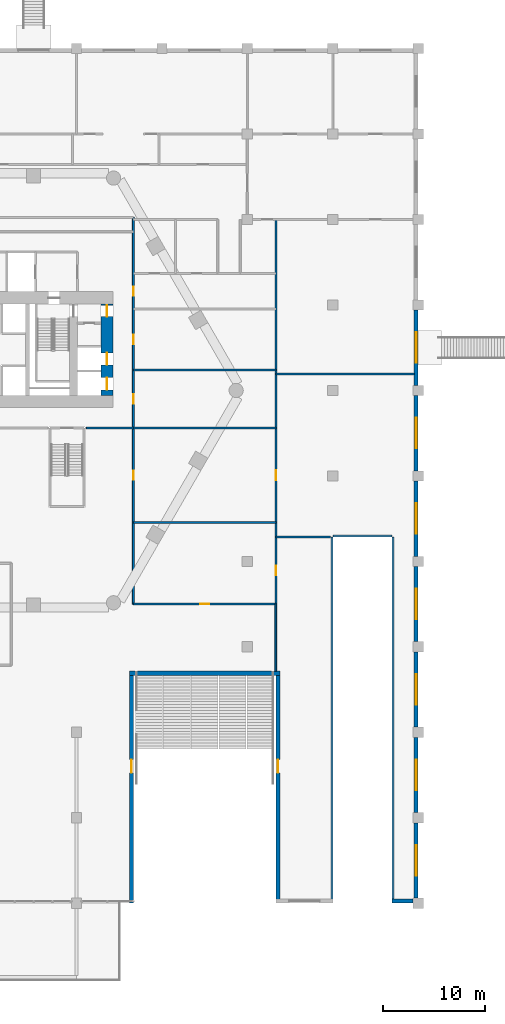
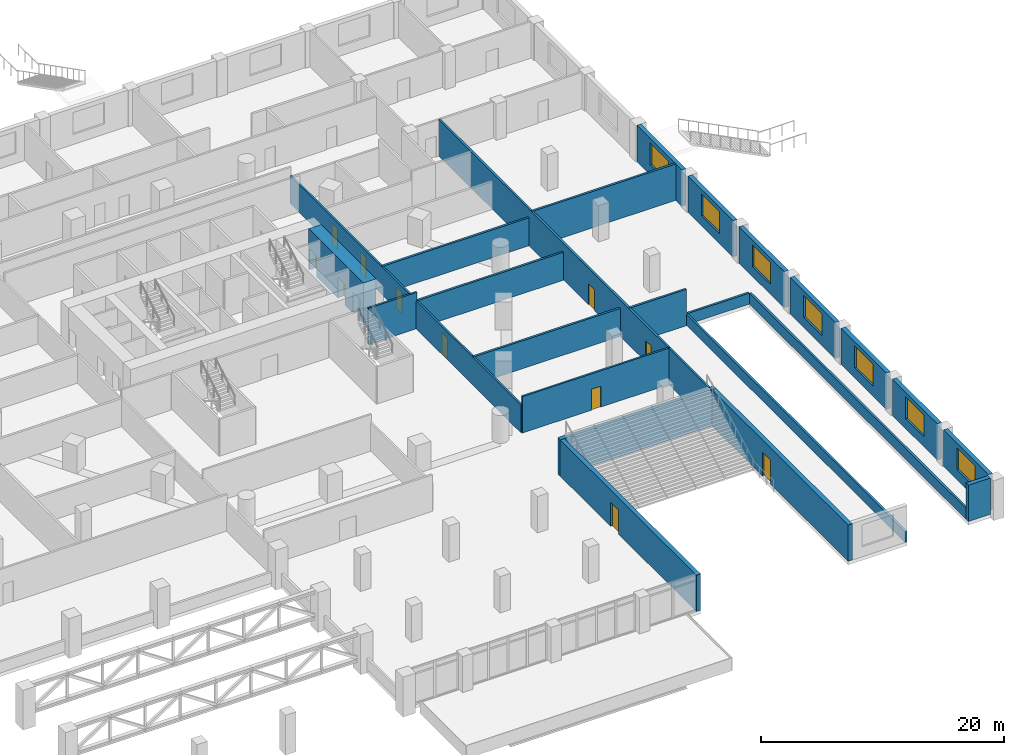
# One storey, part 14 of 24: 25 walls, 12 doors, 7 windows, 19 openings.
"""IFC4 building model written with IfcOpenShell, lengths in metres."""

import ifcopenshell
import ifcopenshell.guid

model = None  # the IFC model being written
_history = None  # IfcOwnerHistory: only IFC2X3 demands one
_inside = {}  # id of a spatial element -> (the spatial element, [elements in it])
_under = {}  # id of a project, library or spatial element -> (it, [spatial elements below it])
_declared = {}  # id of a project -> (the project, [libraries it declares])
_typed = {}  # id of a type object -> (the type object, [elements of that type])
_made_of = {}  # id of a material, layer set ... -> (it, [elements and type objects made of it])


def new_model(schema):
    """Start an empty IFC model of exactly this schema.

    Asked for "IFC4X3", IfcOpenShell would pick the latest addendum, in which some entities
    have other attributes; the version numbers below select the first issue.
    IFC2X3 requires an IfcOwnerHistory on every rooted entity: one is made here for all.
    """
    global model, _history
    if schema == "IFC4X3":
        model = ifcopenshell.file(schema_version=(4, 3, 0, 0))
    else:
        model = ifcopenshell.file(schema=schema)
    _inside.clear()
    _under.clear()
    _declared.clear()
    _typed.clear()
    _made_of.clear()
    _history = None
    if model.schema == "IFC2X3":
        org = make("IfcOrganization", Name="unknown")
        user = make(
            "IfcPersonAndOrganization",
            ThePerson=make("IfcPerson", FamilyName="unknown"),
            TheOrganization=org,
        )
        app = make(
            "IfcApplication",
            ApplicationDeveloper=org,
            Version="unknown",
            ApplicationFullName="unknown",
            ApplicationIdentifier="unknown",
        )
        _history = make(
            "IfcOwnerHistory",
            OwningUser=user,
            OwningApplication=app,
            ChangeAction="ADDED",
            CreationDate=0,
        )
    return model


def make(cls, **values):
    """One entity of the class cls with the attributes given. An attribute that is None is left unset."""
    return model.create_entity(
        cls, **{name: value for name, value in values.items() if value is not None}
    )


def rooted(cls, **values):
    """An entity with a GlobalId (a new one), such as an element, a storey or a relation."""
    return make(cls, GlobalId=ifcopenshell.guid.new(), OwnerHistory=_history, **values)


def si_unit(unit_type, name, prefix=None):
    """IfcSIUnit, for example si_unit("LENGTHUNIT", "METRE", prefix="MILLI")."""
    return make("IfcSIUnit", UnitType=unit_type, Prefix=prefix, Name=name)


def assignment(units):
    """IfcUnitAssignment: the units of a project."""
    return None if units is None else make("IfcUnitAssignment", Units=units)


def point(xyz):
    """IfcCartesianPoint."""
    return None if xyz is None else make("IfcCartesianPoint", Coordinates=xyz)


def direction(xyz):
    """IfcDirection."""
    return None if xyz is None else make("IfcDirection", DirectionRatios=xyz)


def frame(location, z_axis=None, x_axis=None):
    """IfcAxis2Placement3D, a coordinate frame: its origin and axes. An axis left out is left unset."""
    return make(
        "IfcAxis2Placement3D",
        Location=point(location),
        Axis=direction(z_axis),
        RefDirection=direction(x_axis),
    )


def frame_2d(location, x_axis=None):
    """IfcAxis2Placement2D, a coordinate frame in the plane: its origin and x axis."""
    return make(
        "IfcAxis2Placement2D", Location=point(location), RefDirection=direction(x_axis)
    )


def origin():
    """The frame at (0, 0, 0) with its axes left unset."""
    return frame((0.0, 0.0, 0.0))


def place(relative_to, where):
    """IfcLocalPlacement: puts the frame where relative to a parent placement (None: the world)."""
    return make(
        "IfcLocalPlacement", PlacementRelTo=relative_to, RelativePlacement=where
    )


def context(
    kind, dimensions, precision=None, world=None, true_north=None, identifier=None
):
    """IfcGeometricRepresentationContext, for example the 3D "Model" context."""
    return make(
        "IfcGeometricRepresentationContext",
        ContextIdentifier=identifier,
        ContextType=kind,
        CoordinateSpaceDimension=dimensions,
        Precision=precision,
        WorldCoordinateSystem=world,
        TrueNorth=true_north,
    )


def subcontext(parent, identifier, kind, view, scale=None):
    """IfcGeometricRepresentationSubContext, for example "Body" below "Model"."""
    return make(
        "IfcGeometricRepresentationSubContext",
        ContextIdentifier=identifier,
        ContextType=kind,
        ParentContext=parent,
        TargetScale=scale,
        TargetView=view,
    )


def project(units=None, contexts=None):
    """IfcProject with its units and contexts."""
    return rooted(
        "IfcProject",
        Name="project",
        RepresentationContexts=contexts,
        UnitsInContext=assignment(units),
    )


def spatial(cls, under=None, at=None, **own):
    """A site, building, storey or space (cls), placed at a placement, below another one or the project."""
    s = rooted(cls, ObjectPlacement=at, **own)
    if under is not None:
        _under.setdefault(under.id(), (under, []))[1].append(s)
    return s


def profile(cls, at=None, kind="AREA", **sizes):
    """A parametric profile (cls). Its sizes go by their IFC names, for example OverallWidth=200.0."""
    return make(cls, ProfileType=kind, Position=at, **sizes)


def rectangle(**sizes):
    """IfcRectangleProfileDef."""
    return profile("IfcRectangleProfileDef", **sizes)


def extrude(swept, where, along, depth):
    """IfcExtrudedAreaSolid: the profile swept, set in the frame where, extruded along a direction by depth."""
    return make(
        "IfcExtrudedAreaSolid",
        SweptArea=swept,
        Position=where,
        ExtrudedDirection=direction(along),
        Depth=depth,
    )


def shape(context_of_items, identifier, shape_type, items):
    """IfcShapeRepresentation: the items that make up one representation, for example the "Body"."""
    return make(
        "IfcShapeRepresentation",
        ContextOfItems=context_of_items,
        RepresentationIdentifier=identifier,
        RepresentationType=shape_type,
        Items=items,
    )


def material(Name=None, Category=None):
    """IfcMaterial."""
    return make("IfcMaterial", Name=Name, Category=Category)


def layer(
    of_material, thickness, ventilated=None, Name=None, Category=None, Priority=None
):
    """IfcMaterialLayer: one layer of a wall or slab, of a material (None: an air gap)."""
    return make(
        "IfcMaterialLayer",
        Material=of_material,
        LayerThickness=thickness,
        IsVentilated=ventilated,
        Name=Name,
        Category=Category,
        Priority=Priority,
    )


def layer_set(layers, Name=None):
    """IfcMaterialLayerSet."""
    return make("IfcMaterialLayerSet", MaterialLayers=layers, LayerSetName=Name)


def made_of(thing, what):
    """Note that an element or type object is made of a material, layer set ...; save() writes the relation."""
    if what is not None:
        _made_of.setdefault(what.id(), (what, []))[1].append(thing)
    return thing


def type_object(cls, material=None, **own):
    """A type object (cls), such as IfcWallType, which elements share."""
    return made_of(rooted(cls, **own), material)


def element(
    cls,
    number,
    at=None,
    inside=None,
    cuts=None,
    type_object=None,
    material=None,
    context=None,
    identifier="Body",
    shape_type=None,
    held_by="IfcProductDefinitionShape",
    body=None,
    shapes=None,
    **own,
):
    """One element of the class cls, such as IfcWall. Its Tag is "e" and its number.

    at: its placement. inside: the storey or other place that contains it. cuts: it is an
    opening in that element (IfcRelVoidsElement). A single representation is given by context,
    identifier, shape_type and body (its items); several are given by shapes. held_by: the class
    of the entity that holds the representations. save() writes the other relations.
    """
    e = rooted(cls, Tag="e%d" % number, ObjectPlacement=at, **own)
    if body is not None:
        shapes = [shape(context, identifier, shape_type, body)]
    if shapes is not None:
        e.Representation = make(held_by, Representations=shapes)
    if inside is not None:
        _inside.setdefault(inside.id(), (inside, []))[1].append(e)
    if cuts is not None:
        rooted(
            "IfcRelVoidsElement", RelatingBuildingElement=cuts, RelatedOpeningElement=e
        )
    if type_object is not None:
        _typed.setdefault(type_object.id(), (type_object, []))[1].append(e)
    return made_of(e, material)


def fill(opening, filler):
    """IfcRelFillsElement: the door or window that sits in an opening."""
    return rooted(
        "IfcRelFillsElement",
        RelatingOpeningElement=opening,
        RelatedBuildingElement=filler,
    )


def aggregate(whole, parts):
    """IfcRelAggregates: a whole, such as a stair, and the parts it consists of."""
    return rooted("IfcRelAggregates", RelatingObject=whole, RelatedObjects=parts)


def save(model, path):
    """Write the relations noted so far, then the file.

    IfcRelAggregates (storeys below a building ...), IfcRelContainedInSpatialStructure (elements
    in a storey), IfcRelDefinesByType, IfcRelAssociatesMaterial and IfcRelDeclares: one each for
    every whole, place, type object, material and project.
    """
    for whole, parts in _under.values():
        aggregate(whole, parts)
    for where, things in _inside.values():
        rooted(
            "IfcRelContainedInSpatialStructure",
            RelatedElements=things,
            RelatingStructure=where,
        )
    for kind, things in _typed.values():
        rooted("IfcRelDefinesByType", RelatedObjects=things, RelatingType=kind)
    for what, things in _made_of.values():
        rooted("IfcRelAssociatesMaterial", RelatedObjects=things, RelatingMaterial=what)
    for by, libraries in _declared.values():
        rooted("IfcRelDeclares", RelatingContext=by, RelatedDefinitions=libraries)
    model.write(path)


model = new_model("IFC4")

# Units and contexts
model_context = context("Model", 3, precision=1e-05, world=origin(), true_north=direction((0.0, 1.0)))
body_context = subcontext(model_context, "Body", "Model", "MODEL_VIEW")
ifc_project = project(units=[si_unit("LENGTHUNIT", "METRE"), si_unit("AREAUNIT", "SQUARE_METRE"), si_unit("VOLUMEUNIT", "CUBIC_METRE"), si_unit("PLANEANGLEUNIT", "RADIAN"), si_unit("MASSUNIT", "GRAM", prefix="KILO")], contexts=[model_context])

# Site, building, storey
site_placement = place(None, origin())
site = spatial("IfcSite", under=ifc_project, at=site_placement, CompositionType="ELEMENT")
building_placement = place(site_placement, origin())
building = spatial("IfcBuilding", under=site, at=building_placement, Name="Ostrander Bayou Hotel Tower", CompositionType="ELEMENT")
storey_placement = place(building_placement, frame((0.0, 0.0, 6.0)))
storey = spatial("IfcBuildingStorey", under=building, at=storey_placement, Name="L01", CompositionType="ELEMENT", Elevation=6.0)

# Wall, openings, doors
ifc_material_1 = material(Name="Concrete f'c 70 MPa", Category="concrete")
ifc_layer_1 = layer(ifc_material_1, 1.199951171875)
ifc_layer_set_1 = layer_set([ifc_layer_1], Name="CW1 core wall 1200 mm f'c 70 MPa")
wall_type_1 = type_object("IfcWallType", Name="CW1 core wall 1200 mm f'c 70 MPa", PredefinedType="SHEAR", material=ifc_layer_set_1)
wall_1_placement = place(storey_placement, frame((11.39990234375, -0.5, -0.35009765625), z_axis=(0.0, 0.0, 1.0), x_axis=(0.0, 1.0, 0.0)))
wall_1 = element("IfcWall", 1, at=wall_1_placement, inside=storey, type_object=wall_type_1, Name="CW1 L01 RE", PredefinedType="SHEAR", context=body_context, shape_type="SweptSolid", body=[
    extrude(rectangle(XDim=9.0, YDim=1.199951171875, at=frame_2d((4.5, 0.0))), origin(), (0.0, 0.0, 1.0), 4.050048828125),
])
opening_1_placement = place(wall_1_placement, frame((7.75, 0.0, 0.0)))
opening_1 = element("IfcOpeningElement", 2, at=opening_1_placement, cuts=wall_1, Name="Opening T01-019", PredefinedType="OPENING", context=body_context, shape_type="SweptSolid", body=[
    extrude(rectangle(XDim=1.10009765625, YDim=2.10009765625, at=frame_2d((0.550048828125, 1.050048828125))), frame((0.0, 0.60009765625, 0.0), z_axis=(0.0, -1.0, 0.0), x_axis=(1.0, 0.0, 0.0)), (0.0, 0.0, 1.0), 1.199951171875),
])
opening_2_placement = place(wall_1_placement, frame((0.550048828125, 0.0, 0.0)))
opening_2 = element("IfcOpeningElement", 3, at=opening_2_placement, cuts=wall_1, Name="Opening T01-020", PredefinedType="OPENING", context=body_context, shape_type="SweptSolid", body=[
    extrude(rectangle(XDim=1.199951171875, YDim=2.10009765625, at=frame_2d((0.60009765625, 1.050048828125))), frame((0.0, 0.60009765625, 0.0), z_axis=(0.0, -1.0, 0.0), x_axis=(1.0, 0.0, 0.0)), (0.0, 0.0, 1.0), 1.199951171875),
])
opening_3_placement = place(wall_1_placement, frame((3.0, 0.0, 0.0)))
opening_3 = element("IfcOpeningElement", 4, at=opening_3_placement, cuts=wall_1, Name="Opening T01-021", PredefinedType="OPENING", context=body_context, shape_type="SweptSolid", body=[
    extrude(rectangle(XDim=1.199951171875, YDim=2.10009765625, at=frame_2d((0.60009765625, 1.050048828125))), frame((0.0, 0.60009765625, 0.0), z_axis=(0.0, -1.0, 0.0), x_axis=(1.0, 0.0, 0.0)), (0.0, 0.0, 1.0), 1.199951171875),
])
ifc_material_2 = material(Name="Timber door leaf", Category="wood")
door_type_1 = type_object("IfcDoorType", Name="D5 stair door 1100 x 2100 mm, 90 minute", OperationType="SINGLE_SWING_LEFT", PredefinedType="DOOR", material=ifc_material_2)
door_1_placement = place(opening_1_placement, origin())
door_1 = element("IfcDoor", 5, at=door_1_placement, inside=storey, type_object=door_type_1, Name="dr:L01:019", OperationType="SINGLE_SWING_RIGHT", OverallHeight=2.10009765625, OverallWidth=1.10009765625, PredefinedType="DOOR", context=body_context, shape_type="SweptSolid", body=[
    extrude(rectangle(XDim=1.10009765625, YDim=2.10009765625, at=frame_2d((0.550048828125, 1.050048828125))), frame((0.0, 0.02490234375, 0.0), z_axis=(0.0, -1.0, 0.0), x_axis=(1.0, 0.0, 0.0)), (0.0, 0.0, 1.0), 0.050048828125),
])
fill(opening_1, door_1)
ifc_material_3 = material(Name="Stainless steel sliding door", Category="steel")
door_type_2 = type_object("IfcDoorType", Name="LD1 lift landing door 1200 x 2100 mm", OperationType="SINGLE_SWING_LEFT", PredefinedType="DOOR", material=ifc_material_3)
door_2_placement = place(opening_2_placement, origin())
door_2 = element("IfcDoor", 6, at=door_2_placement, inside=storey, type_object=door_type_2, Name="dr:L01:020", OperationType="SLIDING_TO_LEFT", OverallHeight=2.10009765625, OverallWidth=1.199951171875, PredefinedType="DOOR", context=body_context, shape_type="SweptSolid", body=[
    extrude(rectangle(XDim=1.199951171875, YDim=2.10009765625, at=frame_2d((0.60009765625, 1.050048828125))), frame((0.0, 0.02490234375, 0.0), z_axis=(0.0, -1.0, 0.0), x_axis=(1.0, 0.0, 0.0)), (0.0, 0.0, 1.0), 0.050048828125),
])
fill(opening_2, door_2)
door_3_placement = place(opening_3_placement, origin())
door_3 = element("IfcDoor", 7, at=door_3_placement, inside=storey, type_object=door_type_2, Name="dr:L01:021", OperationType="SLIDING_TO_LEFT", OverallHeight=2.10009765625, OverallWidth=1.199951171875, PredefinedType="DOOR", context=body_context, shape_type="SweptSolid", body=[
    extrude(rectangle(XDim=1.199951171875, YDim=2.10009765625, at=frame_2d((0.60009765625, 1.050048828125))), frame((0.0, 0.02490234375, 0.0), z_axis=(0.0, -1.0, 0.0), x_axis=(1.0, 0.0, 0.0)), (0.0, 0.0, 1.0), 0.050048828125),
])
fill(opening_3, door_3)

# Walls
ifc_material_4 = material(Name="Gypsum board partition", Category="finish")
ifc_layer_2 = layer(ifc_material_4, 0.199951171875)
ifc_layer_set_2 = layer_set([ifc_layer_2], Name="PT3 demising wall 200 mm acoustic double stud, 1 hour")
wall_type_2 = type_object("IfcWallType", Name="PT3 demising wall 200 mm acoustic double stud, 1 hour", PredefinedType="PARTITIONING", material=ifc_layer_set_2)
wall_2_placement = place(storey_placement, frame((28.0, -14.39990234375, 0.0), z_axis=(0.0, 0.0, 1.0), x_axis=(1.0, 0.0, 0.0)))
element("IfcWall", 8, at=wall_2_placement, inside=storey, type_object=wall_type_2, Name="sw:L01:025", PredefinedType="PARTITIONING", context=body_context, shape_type="SweptSolid", body=[
    extrude(rectangle(XDim=5.39501953125, YDim=0.199951171875, at=frame_2d((2.697509765625, 0.0))), origin(), (0.0, 0.0, 1.0), 3.64990234375),
])
for number, where, z_axis, x_axis, name in (
    (9, (14.0, -13.0, 0.0), (0.0, 0.0, 1.0), (1.0, 0.0, 0.0), "sw:L01:026"),
    (10, (14.0, -3.699951171875, 0.0), (0.0, 0.0, 1.0), (1.0, 0.0, 0.0), "sw:L01:032"),
):
    element("IfcWall", number, at=place(storey_placement, frame(where, z_axis=z_axis, x_axis=x_axis)), inside=storey, type_object=wall_type_2, Name=name, PredefinedType="PARTITIONING", context=body_context, shape_type="SweptSolid", body=[
        extrude(rectangle(XDim=14.0, YDim=0.199951171875, at=frame_2d((7.0, 0.0))), origin(), (0.0, 0.0, 1.0), 2.800048828125),
    ])
wall_3_placement = place(storey_placement, frame((28.0, 1.60009765625, 0.0), z_axis=(0.0, 0.0, 1.0), x_axis=(1.0, 0.0, 0.0)))
element("IfcWall", 11, at=wall_3_placement, inside=storey, type_object=wall_type_2, Name="sw:L01:034", PredefinedType="PARTITIONING", context=body_context, shape_type="SweptSolid", body=[
    extrude(rectangle(XDim=13.6201171875, YDim=0.199951171875, at=frame_2d((6.81005859375, 0.0))), origin(), (0.0, 0.0, 1.0), 3.64990234375),
])
wall_4_placement = place(storey_placement, frame((14.0, 2.0, 0.0), z_axis=(0.0, 0.0, 1.0), x_axis=(1.0, 0.0, 0.0)))
element("IfcWall", 12, at=wall_4_placement, inside=storey, type_object=wall_type_2, Name="sw:L01:035", PredefinedType="PARTITIONING", context=body_context, shape_type="SweptSolid", body=[
    extrude(rectangle(XDim=14.0, YDim=0.199951171875, at=frame_2d((7.0, 0.0))), origin(), (0.0, 0.0, 1.0), 2.800048828125),
])

# Wall, openings, doors
wall_5_placement = place(storey_placement, frame((28.0, -21.0, 0.0), z_axis=(0.0, 0.0, 1.0), x_axis=(0.0, 1.0, 0.0)))
wall_5 = element("IfcWall", 13, at=wall_5_placement, inside=storey, type_object=wall_type_2, Name="sw:L01:055", PredefinedType="PARTITIONING", context=body_context, shape_type="SweptSolid", body=[
    extrude(rectangle(XDim=37.800048828125, YDim=0.199951171875, at=frame_2d((18.89990234375, 0.0))), origin(), (0.0, 0.0, 1.0), 3.64990234375),
])
opening_4_placement = place(wall_5_placement, frame((2.85009765625, 0.0, 0.0)))
opening_4 = element("IfcOpeningElement", 14, at=opening_4_placement, cuts=wall_5, Name="Opening T01-232", PredefinedType="OPENING", context=body_context, shape_type="SweptSolid", body=[
    extrude(rectangle(XDim=0.89990234375, YDim=2.10009765625, at=frame_2d((0.449951171875, 1.050048828125))), frame((0.0, 0.10009765625, 0.0), z_axis=(0.0, -1.0, 0.0), x_axis=(1.0, 0.0, 0.0)), (0.0, 0.0, 1.0), 0.199951171875),
])
opening_5_placement = place(wall_5_placement, frame((12.14990234375, 0.0, 0.0)))
opening_5 = element("IfcOpeningElement", 15, at=opening_5_placement, cuts=wall_5, Name="Opening T01-235", PredefinedType="OPENING", context=body_context, shape_type="SweptSolid", body=[
    extrude(rectangle(XDim=1.0, YDim=2.10009765625, at=frame_2d((0.5, 1.050048828125))), frame((0.0, 0.10009765625, 0.0), z_axis=(0.0, -1.0, 0.0), x_axis=(1.0, 0.0, 0.0)), (0.0, 0.0, 1.0), 0.199951171875),
])
ifc_material_5 = material(Name="Timber door leaf", Category="wood")
door_type_3 = type_object("IfcDoorType", Name="D8 room door 900 x 2100 mm", OperationType="SINGLE_SWING_LEFT", PredefinedType="DOOR", material=ifc_material_5)
door_4_placement = place(opening_4_placement, origin())
door_4 = element("IfcDoor", 16, at=door_4_placement, inside=storey, type_object=door_type_3, Name="dr:L01:232", OperationType="SINGLE_SWING_RIGHT", OverallHeight=2.10009765625, OverallWidth=0.89990234375, PredefinedType="DOOR", context=body_context, shape_type="SweptSolid", body=[
    extrude(rectangle(XDim=0.89990234375, YDim=2.10009765625, at=frame_2d((0.449951171875, 1.050048828125))), frame((0.0, 0.02490234375, 0.0), z_axis=(0.0, -1.0, 0.0), x_axis=(1.0, 0.0, 0.0)), (0.0, 0.0, 1.0), 0.050048828125),
])
fill(opening_4, door_4)
ifc_material_6 = material(Name="Timber door leaf", Category="wood")
door_type_4 = type_object("IfcDoorType", Name="D9 service door 1000 x 2100 mm, 30 minute", OperationType="SINGLE_SWING_LEFT", PredefinedType="DOOR", material=ifc_material_6)
door_5_placement = place(opening_5_placement, origin())
door_5 = element("IfcDoor", 17, at=door_5_placement, inside=storey, type_object=door_type_4, Name="dr:L01:235", OperationType="SINGLE_SWING_LEFT", OverallHeight=2.10009765625, OverallWidth=1.0, PredefinedType="DOOR", context=body_context, shape_type="SweptSolid", body=[
    extrude(rectangle(XDim=1.0, YDim=2.10009765625, at=frame_2d((0.5, 1.050048828125))), frame((0.0, 0.02490234375, 0.0), z_axis=(0.0, -1.0, 0.0), x_axis=(1.0, 0.0, 0.0)), (0.0, 0.0, 1.0), 0.050048828125),
])
fill(opening_5, door_5)

# Wall, opening, door
ifc_material_7 = material(Name="Gypsum board partition", Category="finish")
ifc_layer_3 = layer(ifc_material_7, 0.175048828125)
ifc_layer_set_3 = layer_set([ifc_layer_3], Name="PT4 corridor wall 175 mm, 1 hour")
wall_type_3 = type_object("IfcWallType", Name="PT4 corridor wall 175 mm, 1 hour", PredefinedType="PARTITIONING", material=ifc_layer_set_3)
wall_6_placement = place(storey_placement, frame((14.0, -21.0, 0.0), z_axis=(0.0, 0.0, 1.0), x_axis=(1.0, 0.0, 0.0)))
wall_6 = element("IfcWall", 18, at=wall_6_placement, inside=storey, type_object=wall_type_3, Name="sw:L01:003", PredefinedType="PARTITIONING", context=body_context, shape_type="SweptSolid", body=[
    extrude(rectangle(XDim=14.0, YDim=0.175048828125, at=frame_2d((7.0, 0.0))), origin(), (0.0, 0.0, 1.0), 3.64990234375),
])
opening_6_placement = place(wall_6_placement, frame((6.550048828125, 0.0, 0.0)))
opening_6 = element("IfcOpeningElement", 19, at=opening_6_placement, cuts=wall_6, Name="Opening T01-215", PredefinedType="OPENING", context=body_context, shape_type="SweptSolid", body=[
    extrude(rectangle(XDim=0.89990234375, YDim=2.10009765625, at=frame_2d((0.449951171875, 1.050048828125))), frame((0.0, 0.08740234375, 0.0), z_axis=(0.0, -1.0, 0.0), x_axis=(1.0, 0.0, 0.0)), (0.0, 0.0, 1.0), 0.175048828125),
])
door_6_placement = place(opening_6_placement, origin())
door_6 = element("IfcDoor", 20, at=door_6_placement, inside=storey, type_object=door_type_3, Name="dr:L01:215", OperationType="SINGLE_SWING_LEFT", OverallHeight=2.10009765625, OverallWidth=0.89990234375, PredefinedType="DOOR", context=body_context, shape_type="SweptSolid", body=[
    extrude(rectangle(XDim=0.89990234375, YDim=2.10009765625, at=frame_2d((0.449951171875, 1.050048828125))), frame((0.0, 0.02490234375, 0.0), z_axis=(0.0, -1.0, 0.0), x_axis=(1.0, 0.0, 0.0)), (0.0, 0.0, 1.0), 0.050048828125),
])
fill(opening_6, door_6)

# Wall
wall_7_placement = place(storey_placement, frame((9.3798828125, -3.699951171875, 0.0), z_axis=(0.0, 0.0, 1.0), x_axis=(1.0, 0.0, 0.0)))
element("IfcWall", 21, at=wall_7_placement, inside=storey, type_object=wall_type_3, Name="sw:L01:007", PredefinedType="PARTITIONING", context=body_context, shape_type="SweptSolid", body=[
    extrude(rectangle(XDim=4.6201171875, YDim=0.175048828125, at=frame_2d((2.31005859375, 0.0))), origin(), (0.0, 0.0, 1.0), 3.64990234375),
])

# Wall, openings, doors
wall_8_placement = place(storey_placement, frame((14.0, -21.0, 0.0), z_axis=(0.0, 0.0, 1.0), x_axis=(0.0, 1.0, 0.0)))
wall_8 = element("IfcWall", 22, at=wall_8_placement, inside=storey, type_object=wall_type_3, Name="sw:L01:020", PredefinedType="PARTITIONING", context=body_context, shape_type="SweptSolid", body=[
    extrude(rectangle(XDim=38.0, YDim=0.175048828125, at=frame_2d((19.0, 0.0))), origin(), (0.0, 0.0, 1.0), 2.800048828125),
])
opening_7_placement = place(wall_8_placement, frame((12.199951171875, 0.0, 0.0)))
opening_7 = element("IfcOpeningElement", 23, at=opening_7_placement, cuts=wall_8, Name="Opening T01-216", PredefinedType="OPENING", context=body_context, shape_type="SweptSolid", body=[
    extrude(rectangle(XDim=0.89990234375, YDim=2.10009765625, at=frame_2d((0.449951171875, 1.050048828125))), frame((0.0, 0.08740234375, 0.0), z_axis=(0.0, -1.0, 0.0), x_axis=(1.0, 0.0, 0.0)), (0.0, 0.0, 1.0), 0.175048828125),
])
opening_8_placement = place(wall_8_placement, frame((19.699951171875, 0.0, 0.0)))
opening_8 = element("IfcOpeningElement", 24, at=opening_8_placement, cuts=wall_8, Name="Opening T01-217", PredefinedType="OPENING", context=body_context, shape_type="SweptSolid", body=[
    extrude(rectangle(XDim=0.89990234375, YDim=2.10009765625, at=frame_2d((0.449951171875, 1.050048828125))), frame((0.0, 0.08740234375, 0.0), z_axis=(0.0, -1.0, 0.0), x_axis=(1.0, 0.0, 0.0)), (0.0, 0.0, 1.0), 0.175048828125),
])
opening_9_placement = place(wall_8_placement, frame((25.550048828125, 0.0, 0.0)))
opening_9 = element("IfcOpeningElement", 25, at=opening_9_placement, cuts=wall_8, Name="Opening T01-218", PredefinedType="OPENING", context=body_context, shape_type="SweptSolid", body=[
    extrude(rectangle(XDim=0.89990234375, YDim=2.10009765625, at=frame_2d((0.449951171875, 1.050048828125))), frame((0.0, 0.08740234375, 0.0), z_axis=(0.0, -1.0, 0.0), x_axis=(1.0, 0.0, 0.0)), (0.0, 0.0, 1.0), 0.175048828125),
])
opening_10_placement = place(wall_8_placement, frame((30.300048828125, 0.0, 0.0)))
opening_10 = element("IfcOpeningElement", 26, at=opening_10_placement, cuts=wall_8, Name="Opening T01-219", PredefinedType="OPENING", context=body_context, shape_type="SweptSolid", body=[
    extrude(rectangle(XDim=0.89990234375, YDim=2.10009765625, at=frame_2d((0.449951171875, 1.050048828125))), frame((0.0, 0.08740234375, 0.0), z_axis=(0.0, -1.0, 0.0), x_axis=(1.0, 0.0, 0.0)), (0.0, 0.0, 1.0), 0.175048828125),
])
door_7_placement = place(opening_7_placement, origin())
door_7 = element("IfcDoor", 27, at=door_7_placement, inside=storey, type_object=door_type_3, Name="dr:L01:216", OperationType="SINGLE_SWING_RIGHT", OverallHeight=2.10009765625, OverallWidth=0.89990234375, PredefinedType="DOOR", context=body_context, shape_type="SweptSolid", body=[
    extrude(rectangle(XDim=0.89990234375, YDim=2.10009765625, at=frame_2d((0.449951171875, 1.050048828125))), frame((0.0, 0.02490234375, 0.0), z_axis=(0.0, -1.0, 0.0), x_axis=(1.0, 0.0, 0.0)), (0.0, 0.0, 1.0), 0.050048828125),
])
fill(opening_7, door_7)
door_8_placement = place(opening_8_placement, origin())
door_8 = element("IfcDoor", 28, at=door_8_placement, inside=storey, type_object=door_type_3, Name="dr:L01:217", OperationType="SINGLE_SWING_LEFT", OverallHeight=2.10009765625, OverallWidth=0.89990234375, PredefinedType="DOOR", context=body_context, shape_type="SweptSolid", body=[
    extrude(rectangle(XDim=0.89990234375, YDim=2.10009765625, at=frame_2d((0.449951171875, 1.050048828125))), frame((0.0, 0.02490234375, 0.0), z_axis=(0.0, -1.0, 0.0), x_axis=(1.0, 0.0, 0.0)), (0.0, 0.0, 1.0), 0.050048828125),
])
fill(opening_8, door_8)
door_9_placement = place(opening_9_placement, origin())
door_9 = element("IfcDoor", 29, at=door_9_placement, inside=storey, type_object=door_type_3, Name="dr:L01:218", OperationType="SINGLE_SWING_RIGHT", OverallHeight=2.10009765625, OverallWidth=0.89990234375, PredefinedType="DOOR", context=body_context, shape_type="SweptSolid", body=[
    extrude(rectangle(XDim=0.89990234375, YDim=2.10009765625, at=frame_2d((0.449951171875, 1.050048828125))), frame((0.0, 0.02490234375, 0.0), z_axis=(0.0, -1.0, 0.0), x_axis=(1.0, 0.0, 0.0)), (0.0, 0.0, 1.0), 0.050048828125),
])
fill(opening_9, door_9)
door_10_placement = place(opening_10_placement, origin())
door_10 = element("IfcDoor", 30, at=door_10_placement, inside=storey, type_object=door_type_3, Name="dr:L01:219", OperationType="SINGLE_SWING_LEFT", OverallHeight=2.10009765625, OverallWidth=0.89990234375, PredefinedType="DOOR", context=body_context, shape_type="SweptSolid", body=[
    extrude(rectangle(XDim=0.89990234375, YDim=2.10009765625, at=frame_2d((0.449951171875, 1.050048828125))), frame((0.0, 0.02490234375, 0.0), z_axis=(0.0, -1.0, 0.0), x_axis=(1.0, 0.0, 0.0)), (0.0, 0.0, 1.0), 0.050048828125),
])
fill(opening_10, door_10)

# Walls
wall_9_placement = place(storey_placement, frame((28.0, -27.6201171875, 0.0), z_axis=(0.0, 0.0, 1.0), x_axis=(0.0, 1.0, 0.0)))
element("IfcWall", 31, at=wall_9_placement, inside=storey, type_object=wall_type_3, Name="sw:L01:024", PredefinedType="PARTITIONING", context=body_context, shape_type="SweptSolid", body=[
    extrude(rectangle(XDim=6.6201171875, YDim=0.175048828125, at=frame_2d((3.31005859375, 0.0))), origin(), (0.0, 0.0, 1.0), 3.64990234375),
])
ifc_material_8 = material(Name="Reconstituted stone on masonry backing", Category="masonry")
ifc_layer_4 = layer(ifc_material_8, 0.39990234375)
ifc_layer_set_4 = layer_set([ifc_layer_4], Name="PW1 stone cladding wall 400 mm")
wall_type_4 = type_object("IfcWallType", Name="PW1 stone cladding wall 400 mm", PredefinedType="SOLIDWALL", material=ifc_layer_set_4)
wall_10_placement = place(storey_placement, frame((41.5, -50.199951171875, 0.0), z_axis=(0.0, 0.0, 1.0), x_axis=(-1.0, 0.0, 0.0)))
element("IfcWall", 32, at=wall_10_placement, inside=storey, type_object=wall_type_4, Name="pw:L01:0", PredefinedType="SOLIDWALL", context=body_context, shape_type="SweptSolid", body=[
    extrude(rectangle(XDim=2.10009765625, YDim=0.39990234375, at=frame_2d((1.050048828125, 0.0))), origin(), (0.0, 0.0, 1.0), 3.64990234375),
])

# Wall, opening, window
wall_11_placement = place(storey_placement, frame((41.800048828125, 7.89990234375, 0.0), z_axis=(0.0, 0.0, 1.0), x_axis=(0.0, -1.0, 0.0)))
wall_11 = element("IfcWall", 33, at=wall_11_placement, inside=storey, type_object=wall_type_4, Name="pw:L01:12", PredefinedType="SOLIDWALL", context=body_context, shape_type="SweptSolid", body=[
    extrude(rectangle(XDim=7.39990234375, YDim=0.39990234375, at=frame_2d((3.699951171875, 0.0))), origin(), (0.0, 0.0, 1.0), 3.64990234375),
])
opening_11_placement = place(wall_11_placement, frame((2.199951171875, 0.0, 1.0)))
opening_11 = element("IfcOpeningElement", 34, at=opening_11_placement, cuts=wall_11, Name="Opening W6", PredefinedType="OPENING", context=body_context, shape_type="SweptSolid", body=[
    extrude(rectangle(XDim=3.0, YDim=2.199951171875, at=frame_2d((1.5, 1.10009765625))), frame((0.0, 0.199951171875, 0.0), z_axis=(0.0, -1.0, 0.0), x_axis=(1.0, 0.0, 0.0)), (0.0, 0.0, 1.0), 0.39990234375),
])
ifc_material_9 = material(Name="Aluminium and clear glass", Category="aluminium")
window_type = type_object("IfcWindowType", Name="W6 podium window 3000 mm", PartitioningType="SINGLE_PANEL", PredefinedType="WINDOW", material=ifc_material_9)
window_1_placement = place(opening_11_placement, origin())
window_1 = element("IfcWindow", 35, at=window_1_placement, inside=storey, type_object=window_type, Name="W6 L01 12", OverallHeight=2.199951171875, OverallWidth=3.0, PartitioningType="SINGLE_PANEL", PredefinedType="WINDOW", context=body_context, shape_type="SweptSolid", body=[
    extrude(rectangle(XDim=3.0, YDim=2.199951171875, at=frame_2d((1.5, 1.10009765625))), frame((0.0, 0.030029296875, 0.0), z_axis=(0.0, -1.0, 0.0), x_axis=(1.0, 0.0, 0.0)), (0.0, 0.0, 1.0), 0.06005859375),
])
fill(opening_11, window_1)

wall_12_placement = place(storey_placement, frame((41.800048828125, -0.5, 0.0), z_axis=(0.0, 0.0, 1.0), x_axis=(0.0, -1.0, 0.0)))
wall_12 = element("IfcWall", 36, at=wall_12_placement, inside=storey, type_object=wall_type_4, Name="pw:L01:13", PredefinedType="SOLIDWALL", context=body_context, shape_type="SweptSolid", body=[
    extrude(rectangle(XDim=7.39990234375, YDim=0.39990234375, at=frame_2d((3.699951171875, 0.0))), origin(), (0.0, 0.0, 1.0), 3.64990234375),
])
opening_12_placement = place(wall_12_placement, frame((2.199951171875, 0.0, 1.0)))
opening_12 = element("IfcOpeningElement", 37, at=opening_12_placement, cuts=wall_12, Name="Opening W6", PredefinedType="OPENING", context=body_context, shape_type="SweptSolid", body=[
    extrude(rectangle(XDim=3.0, YDim=2.199951171875, at=frame_2d((1.5, 1.10009765625))), frame((0.0, 0.199951171875, 0.0), z_axis=(0.0, -1.0, 0.0), x_axis=(1.0, 0.0, 0.0)), (0.0, 0.0, 1.0), 0.39990234375),
])
window_2_placement = place(opening_12_placement, origin())
window_2 = element("IfcWindow", 38, at=window_2_placement, inside=storey, type_object=window_type, Name="W6 L01 13", OverallHeight=2.199951171875, OverallWidth=3.0, PartitioningType="SINGLE_PANEL", PredefinedType="WINDOW", context=body_context, shape_type="SweptSolid", body=[
    extrude(rectangle(XDim=3.0, YDim=2.199951171875, at=frame_2d((1.5, 1.10009765625))), frame((0.0, 0.030029296875, 0.0), z_axis=(0.0, -1.0, 0.0), x_axis=(1.0, 0.0, 0.0)), (0.0, 0.0, 1.0), 0.06005859375),
])
fill(opening_12, window_2)

wall_13_placement = place(storey_placement, frame((41.800048828125, -8.89990234375, 0.0), z_axis=(0.0, 0.0, 1.0), x_axis=(0.0, -1.0, 0.0)))
wall_13 = element("IfcWall", 39, at=wall_13_placement, inside=storey, type_object=wall_type_4, Name="pw:L01:14", PredefinedType="SOLIDWALL", context=body_context, shape_type="SweptSolid", body=[
    extrude(rectangle(XDim=7.400146484375, YDim=0.39990234375, at=frame_2d((3.7001953125, 0.0))), origin(), (0.0, 0.0, 1.0), 3.64990234375),
])
opening_13_placement = place(wall_13_placement, frame((2.199951171875, 0.0, 1.0)))
opening_13 = element("IfcOpeningElement", 40, at=opening_13_placement, cuts=wall_13, Name="Opening W6", PredefinedType="OPENING", context=body_context, shape_type="SweptSolid", body=[
    extrude(rectangle(XDim=3.0, YDim=2.199951171875, at=frame_2d((1.5, 1.10009765625))), frame((0.0, 0.199951171875, 0.0), z_axis=(0.0, -1.0, 0.0), x_axis=(1.0, 0.0, 0.0)), (0.0, 0.0, 1.0), 0.39990234375),
])
window_3_placement = place(opening_13_placement, origin())
window_3 = element("IfcWindow", 41, at=window_3_placement, inside=storey, type_object=window_type, Name="W6 L01 14", OverallHeight=2.199951171875, OverallWidth=3.0, PartitioningType="SINGLE_PANEL", PredefinedType="WINDOW", context=body_context, shape_type="SweptSolid", body=[
    extrude(rectangle(XDim=3.0, YDim=2.199951171875, at=frame_2d((1.5, 1.10009765625))), frame((0.0, 0.030029296875, 0.0), z_axis=(0.0, -1.0, 0.0), x_axis=(1.0, 0.0, 0.0)), (0.0, 0.0, 1.0), 0.06005859375),
])
fill(opening_13, window_3)

wall_14_placement = place(storey_placement, frame((41.800048828125, -17.300048828125, 0.0), z_axis=(0.0, 0.0, 1.0), x_axis=(0.0, -1.0, 0.0)))
wall_14 = element("IfcWall", 42, at=wall_14_placement, inside=storey, type_object=wall_type_4, Name="pw:L01:15", PredefinedType="SOLIDWALL", context=body_context, shape_type="SweptSolid", body=[
    extrude(rectangle(XDim=7.39990234375, YDim=0.39990234375, at=frame_2d((3.699951171875, 0.0))), origin(), (0.0, 0.0, 1.0), 3.64990234375),
])
opening_14_placement = place(wall_14_placement, frame((2.199951171875, 0.0, 1.0)))
opening_14 = element("IfcOpeningElement", 43, at=opening_14_placement, cuts=wall_14, Name="Opening W6", PredefinedType="OPENING", context=body_context, shape_type="SweptSolid", body=[
    extrude(rectangle(XDim=3.0, YDim=2.199951171875, at=frame_2d((1.5, 1.10009765625))), frame((0.0, 0.199951171875, 0.0), z_axis=(0.0, -1.0, 0.0), x_axis=(1.0, 0.0, 0.0)), (0.0, 0.0, 1.0), 0.39990234375),
])
window_4_placement = place(opening_14_placement, origin())
window_4 = element("IfcWindow", 44, at=window_4_placement, inside=storey, type_object=window_type, Name="W6 L01 15", OverallHeight=2.199951171875, OverallWidth=3.0, PartitioningType="SINGLE_PANEL", PredefinedType="WINDOW", context=body_context, shape_type="SweptSolid", body=[
    extrude(rectangle(XDim=3.0, YDim=2.199951171875, at=frame_2d((1.5, 1.10009765625))), frame((0.0, 0.030029296875, 0.0), z_axis=(0.0, -1.0, 0.0), x_axis=(1.0, 0.0, 0.0)), (0.0, 0.0, 1.0), 0.06005859375),
])
fill(opening_14, window_4)

wall_15_placement = place(storey_placement, frame((41.800048828125, -25.699951171875, 0.0), z_axis=(0.0, 0.0, 1.0), x_axis=(0.0, -1.0, 0.0)))
wall_15 = element("IfcWall", 45, at=wall_15_placement, inside=storey, type_object=wall_type_4, Name="pw:L01:16", PredefinedType="SOLIDWALL", context=body_context, shape_type="SweptSolid", body=[
    extrude(rectangle(XDim=7.400146484375, YDim=0.39990234375, at=frame_2d((3.7001953125, 0.0))), origin(), (0.0, 0.0, 1.0), 3.64990234375),
])
opening_15_placement = place(wall_15_placement, frame((2.199951171875, 0.0, 1.0)))
opening_15 = element("IfcOpeningElement", 46, at=opening_15_placement, cuts=wall_15, Name="Opening W6", PredefinedType="OPENING", context=body_context, shape_type="SweptSolid", body=[
    extrude(rectangle(XDim=3.0, YDim=2.199951171875, at=frame_2d((1.5, 1.10009765625))), frame((0.0, 0.199951171875, 0.0), z_axis=(0.0, -1.0, 0.0), x_axis=(1.0, 0.0, 0.0)), (0.0, 0.0, 1.0), 0.39990234375),
])
window_5_placement = place(opening_15_placement, origin())
window_5 = element("IfcWindow", 47, at=window_5_placement, inside=storey, type_object=window_type, Name="W6 L01 16", OverallHeight=2.199951171875, OverallWidth=3.0, PartitioningType="SINGLE_PANEL", PredefinedType="WINDOW", context=body_context, shape_type="SweptSolid", body=[
    extrude(rectangle(XDim=3.0, YDim=2.199951171875, at=frame_2d((1.5, 1.10009765625))), frame((0.0, 0.030029296875, 0.0), z_axis=(0.0, -1.0, 0.0), x_axis=(1.0, 0.0, 0.0)), (0.0, 0.0, 1.0), 0.06005859375),
])
fill(opening_15, window_5)

wall_16_placement = place(storey_placement, frame((41.800048828125, -34.10009765625, 0.0), z_axis=(0.0, 0.0, 1.0), x_axis=(0.0, -1.0, 0.0)))
wall_16 = element("IfcWall", 48, at=wall_16_placement, inside=storey, type_object=wall_type_4, Name="pw:L01:17", PredefinedType="SOLIDWALL", context=body_context, shape_type="SweptSolid", body=[
    extrude(rectangle(XDim=7.39990234375, YDim=0.39990234375, at=frame_2d((3.699951171875, 0.0))), origin(), (0.0, 0.0, 1.0), 3.64990234375),
])
opening_16_placement = place(wall_16_placement, frame((2.199951171875, 0.0, 1.0)))
opening_16 = element("IfcOpeningElement", 49, at=opening_16_placement, cuts=wall_16, Name="Opening W6", PredefinedType="OPENING", context=body_context, shape_type="SweptSolid", body=[
    extrude(rectangle(XDim=3.0, YDim=2.199951171875, at=frame_2d((1.5, 1.10009765625))), frame((0.0, 0.199951171875, 0.0), z_axis=(0.0, -1.0, 0.0), x_axis=(1.0, 0.0, 0.0)), (0.0, 0.0, 1.0), 0.39990234375),
])
window_6_placement = place(opening_16_placement, origin())
window_6 = element("IfcWindow", 50, at=window_6_placement, inside=storey, type_object=window_type, Name="W6 L01 17", OverallHeight=2.199951171875, OverallWidth=3.0, PartitioningType="SINGLE_PANEL", PredefinedType="WINDOW", context=body_context, shape_type="SweptSolid", body=[
    extrude(rectangle(XDim=3.0, YDim=2.199951171875, at=frame_2d((1.5, 1.10009765625))), frame((0.0, 0.030029296875, 0.0), z_axis=(0.0, -1.0, 0.0), x_axis=(1.0, 0.0, 0.0)), (0.0, 0.0, 1.0), 0.06005859375),
])
fill(opening_16, window_6)

wall_17_placement = place(storey_placement, frame((41.800048828125, -42.5, 0.0), z_axis=(0.0, 0.0, 1.0), x_axis=(0.0, -1.0, 0.0)))
wall_17 = element("IfcWall", 51, at=wall_17_placement, inside=storey, type_object=wall_type_4, Name="pw:L01:18", PredefinedType="SOLIDWALL", context=body_context, shape_type="SweptSolid", body=[
    extrude(rectangle(XDim=7.39990234375, YDim=0.39990234375, at=frame_2d((3.699951171875, 0.0))), origin(), (0.0, 0.0, 1.0), 3.64990234375),
])
opening_17_placement = place(wall_17_placement, frame((2.199951171875, 0.0, 1.0)))
opening_17 = element("IfcOpeningElement", 52, at=opening_17_placement, cuts=wall_17, Name="Opening W6", PredefinedType="OPENING", context=body_context, shape_type="SweptSolid", body=[
    extrude(rectangle(XDim=3.0, YDim=2.199951171875, at=frame_2d((1.5, 1.10009765625))), frame((0.0, 0.199951171875, 0.0), z_axis=(0.0, -1.0, 0.0), x_axis=(1.0, 0.0, 0.0)), (0.0, 0.0, 1.0), 0.39990234375),
])
window_7_placement = place(opening_17_placement, origin())
window_7 = element("IfcWindow", 53, at=window_7_placement, inside=storey, type_object=window_type, Name="W6 L01 18", OverallHeight=2.199951171875, OverallWidth=3.0, PartitioningType="SINGLE_PANEL", PredefinedType="WINDOW", context=body_context, shape_type="SweptSolid", body=[
    extrude(rectangle(XDim=3.0, YDim=2.199951171875, at=frame_2d((1.5, 1.10009765625))), frame((0.0, 0.030029296875, 0.0), z_axis=(0.0, -1.0, 0.0), x_axis=(1.0, 0.0, 0.0)), (0.0, 0.0, 1.0), 0.06005859375),
])
fill(opening_17, window_7)

# Wall, opening, door
wall_18_placement = place(storey_placement, frame((13.800048828125, -27.60009765625, 0.0), z_axis=(0.0, 0.0, 1.0), x_axis=(0.0, -1.0, 0.0)))
wall_18 = element("IfcWall", 54, at=wall_18_placement, inside=storey, type_object=wall_type_4, Name="PW1 L01 garden stair zone wall W", PredefinedType="SOLIDWALL", context=body_context, shape_type="SweptSolid", body=[
    extrude(rectangle(XDim=22.7998046875, YDim=0.39990234375, at=frame_2d((11.39990234375, 0.0))), origin(), (0.0, 0.0, 1.0), 3.64990234375),
])
opening_18_placement = place(wall_18_placement, frame((8.68994140625, 0.0, 0.0)))
opening_18 = element("IfcOpeningElement", 55, at=opening_18_placement, cuts=wall_18, Name="Opening T01-800", PredefinedType="OPENING", context=body_context, shape_type="SweptSolid", body=[
    extrude(rectangle(XDim=1.300048828125, YDim=2.39990234375, at=frame_2d((0.64990234375, 1.199951171875))), frame((0.0, 0.199951171875, 0.0), z_axis=(0.0, -1.0, 0.0), x_axis=(1.0, 0.0, 0.0)), (0.0, 0.0, 1.0), 0.39990234375),
])
ifc_material_10 = material(Name="Aluminium and clear glass", Category="aluminium")
door_type_5 = type_object("IfcDoorType", Name="ED2 terrace door 1300 mm", OperationType="SINGLE_SWING_RIGHT", PredefinedType="DOOR", material=ifc_material_10)
door_11_placement = place(opening_18_placement, origin())
door_11 = element("IfcDoor", 56, at=door_11_placement, inside=storey, type_object=door_type_5, Name="ED2 terrace W", OperationType="SINGLE_SWING_LEFT", OverallHeight=2.39990234375, OverallWidth=1.300048828125, PredefinedType="DOOR", context=body_context, shape_type="SweptSolid", body=[
    extrude(rectangle(XDim=1.300048828125, YDim=2.39990234375, at=frame_2d((0.64990234375, 1.199951171875))), frame((0.0, 0.02490234375, 0.0), z_axis=(0.0, -1.0, 0.0), x_axis=(1.0, 0.0, 0.0)), (0.0, 0.0, 1.0), 0.050048828125),
])
fill(opening_18, door_11)

wall_19_placement = place(storey_placement, frame((28.199951171875, -50.39990234375, 0.0), z_axis=(0.0, 0.0, 1.0), x_axis=(0.0, 1.0, 0.0)))
wall_19 = element("IfcWall", 57, at=wall_19_placement, inside=storey, type_object=wall_type_4, Name="PW1 L01 garden stair zone wall E", PredefinedType="SOLIDWALL", context=body_context, shape_type="SweptSolid", body=[
    extrude(rectangle(XDim=22.7998046875, YDim=0.39990234375, at=frame_2d((11.39990234375, 0.0))), origin(), (0.0, 0.0, 1.0), 3.64990234375),
])
opening_19_placement = place(wall_19_placement, frame((12.81005859375, 0.0, 0.0)))
opening_19 = element("IfcOpeningElement", 58, at=opening_19_placement, cuts=wall_19, Name="Opening T01-801", PredefinedType="OPENING", context=body_context, shape_type="SweptSolid", body=[
    extrude(rectangle(XDim=1.300048828125, YDim=2.39990234375, at=frame_2d((0.64990234375, 1.199951171875))), frame((0.0, 0.199951171875, 0.0), z_axis=(0.0, -1.0, 0.0), x_axis=(1.0, 0.0, 0.0)), (0.0, 0.0, 1.0), 0.39990234375),
])
door_12_placement = place(opening_19_placement, origin())
door_12 = element("IfcDoor", 59, at=door_12_placement, inside=storey, type_object=door_type_5, Name="ED2 terrace E", OperationType="SINGLE_SWING_LEFT", OverallHeight=2.39990234375, OverallWidth=1.300048828125, PredefinedType="DOOR", context=body_context, shape_type="SweptSolid", body=[
    extrude(rectangle(XDim=1.300048828125, YDim=2.39990234375, at=frame_2d((0.64990234375, 1.199951171875))), frame((0.0, 0.02490234375, 0.0), z_axis=(0.0, -1.0, 0.0), x_axis=(1.0, 0.0, 0.0)), (0.0, 0.0, 1.0), 0.050048828125),
])
fill(opening_19, door_12)

# Walls
wall_20_placement = place(storey_placement, frame((13.60009765625, -27.800048828125, 0.0), z_axis=(0.0, 0.0, 1.0), x_axis=(1.0, 0.0, 0.0)))
element("IfcWall", 60, at=wall_20_placement, inside=storey, type_object=wall_type_4, Name="PW1 L01 garden stair zone wall N", PredefinedType="SOLIDWALL", context=body_context, shape_type="SweptSolid", body=[
    extrude(rectangle(XDim=14.7998046875, YDim=0.39990234375, at=frame_2d((7.39990234375, 0.0))), origin(), (0.0, 0.0, 1.0), 3.64990234375),
])
ifc_material_11 = material(Name="Concrete f'c 40 MPa", Category="concrete")
ifc_layer_5 = layer(ifc_material_11, 0.199951171875)
ifc_layer_set_5 = layer_set([ifc_layer_5], Name="RP1 ramp well parapet 200 mm")
wall_type_5 = type_object("IfcWallType", Name="RP1 ramp well parapet 200 mm", PredefinedType="PARAPET", material=ifc_layer_set_5)
wall_21_placement = place(storey_placement, frame((39.5, -50.39990234375, 0.0), z_axis=(0.0, 0.0, 1.0), x_axis=(0.0, 1.0, 0.0)))
element("IfcWall", 61, at=wall_21_placement, inside=storey, type_object=wall_type_5, Name="RP1 L01 ramp 4", PredefinedType="PARAPET", context=body_context, shape_type="SweptSolid", body=[
    extrude(rectangle(XDim=36.0, YDim=0.199951171875, at=frame_2d((18.0, 0.0))), origin(), (0.0, 0.0, 1.0), 1.10009765625),
])
wall_22_placement = place(storey_placement, frame((39.39990234375, -14.300048828125, 0.0), z_axis=(0.0, 0.0, 1.0), x_axis=(-1.0, 0.0, 0.0)))
element("IfcWall", 62, at=wall_22_placement, inside=storey, type_object=wall_type_5, Name="RP1 L01 ramp 5", PredefinedType="PARAPET", context=body_context, shape_type="SweptSolid", body=[
    extrude(rectangle(XDim=5.7998046875, YDim=0.199951171875, at=frame_2d((2.89990234375, 0.0))), origin(), (0.0, 0.0, 1.0), 1.10009765625),
])
wall_23_placement = place(storey_placement, frame((33.5, -14.39990234375, 0.0), z_axis=(0.0, 0.0, 1.0), x_axis=(0.0, -1.0, 0.0)))
element("IfcWall", 63, at=wall_23_placement, inside=storey, type_object=wall_type_5, Name="RP1 L01 ramp 6", PredefinedType="PARAPET", context=body_context, shape_type="SweptSolid", body=[
    extrude(rectangle(XDim=36.0, YDim=0.199951171875, at=frame_2d((18.0, 0.0))), origin(), (0.0, 0.0, 1.0), 1.10009765625),
])

save(model, "model.ifc")
